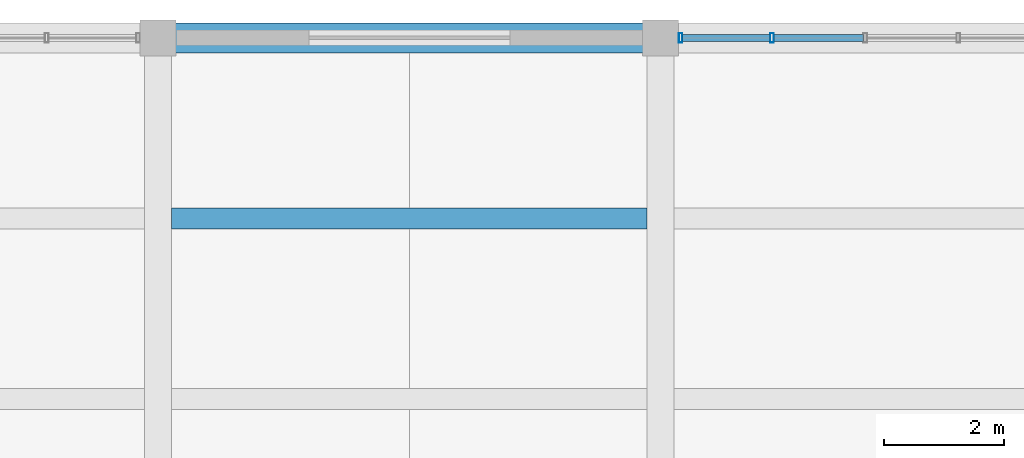
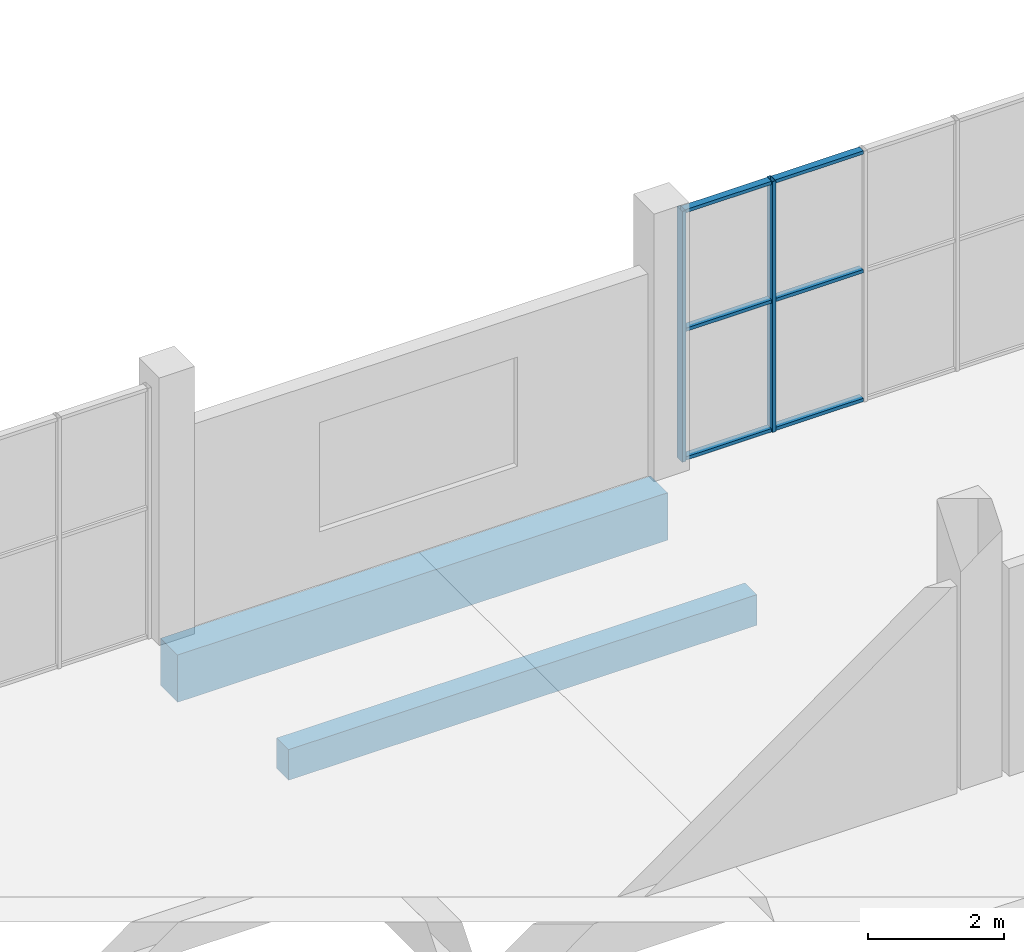
# One storey, part 37 of 80: 8 members, 2 beams, 1 element without a shape of its own.
"""IFC4 building model written with IfcOpenShell, lengths in metres."""

from ifc_helpers import new_model, si_unit, direction, frame, origin, origin_2d, place, context, subcontext, project, spatial, rectangle, hollow_rectangle, extrude, material, material_profile, profile_set, type_object, element, aggregate, save


model = new_model("IFC4")

# Units and contexts
model_context = context("Model", 3, precision=1e-05, world=origin(), true_north=direction((0.0, 1.0)))
body_context = subcontext(model_context, "Body", "Model", "MODEL_VIEW")
ifc_project = project(units=[si_unit("LENGTHUNIT", "METRE"), si_unit("AREAUNIT", "SQUARE_METRE"), si_unit("VOLUMEUNIT", "CUBIC_METRE"), si_unit("PLANEANGLEUNIT", "RADIAN"), si_unit("MASSUNIT", "GRAM", prefix="KILO")], contexts=[model_context])

# Site, building, storey
site_placement = place(None, origin())
site = spatial("IfcSite", under=ifc_project, at=site_placement, CompositionType="ELEMENT")
building_placement = place(site_placement, origin())
building = spatial("IfcBuilding", under=site, at=building_placement, Name="Khurvash Pelagic Aquarium", CompositionType="ELEMENT")
storey_placement = place(building_placement, frame((0.0, 0.0, 10.800048828125)))
storey = spatial("IfcBuildingStorey", under=building, at=storey_placement, Name="L02", CompositionType="ELEMENT", Elevation=10.800048828125)

# Curtain wall, members
ifc_material_1 = material(Name="Anodised aluminium and low-E laminated glass", Category="aluminium")
curtain_wall_type = type_object("IfcCurtainWallType", Name="CW-06", PredefinedType="USERDEFINED", material=ifc_material_1)
curtain_wall_placement = place(storey_placement, origin())
curtain_wall = element("IfcCurtainWall", 1, at=curtain_wall_placement, inside=storey, type_object=curtain_wall_type, Name="L02 Facade Unitised Curtain Wall CW-06 0166", ObjectType="UNITISED CURTAIN WALL", PredefinedType="USERDEFINED")
ifc_material_2 = material(Name="Extruded aluminium AW-6063-T6", Category="aluminium")
ifc_material_profile_1 = material_profile(ifc_material_2, hollow_rectangle(XDim=0.06005859375, YDim=0.159912109375, WallThickness=0.00390625, at=origin_2d()), Name="CWM60X160X4")
ifc_profile_set_1 = profile_set([ifc_material_profile_1], Name="Extruded aluminium AW-6063-T6")
member_type_1 = type_object("IfcMemberType", Name="CM-02", PredefinedType="MULLION", material=ifc_profile_set_1)
member_1_placement = place(storey_placement, frame((94.262939453125, 102.14990234375, 0.0), z_axis=(0.0, 0.0, 1.0), x_axis=(-1.0, 0.0, 0.0)))
member_1 = element("IfcMember", 2, at=member_1_placement, type_object=member_type_1, Name="CW-06 mullion 5", PredefinedType="MULLION", context=body_context, shape_type="SweptSolid", body=[
    extrude(hollow_rectangle(XDim=0.06005859375, YDim=0.159912109375, WallThickness=0.00390625, at=origin_2d()), origin(), (0.0, 0.0, 1.0), 4.5),
])
member_2_placement = place(storey_placement, frame((92.735107421875, 102.14990234375, 0.0), z_axis=(0.0, 0.0, 1.0), x_axis=(-1.0, 0.0, 0.0)))
member_2 = element("IfcMember", 3, at=member_2_placement, type_object=member_type_1, Name="CW-06 mullion 6", PredefinedType="MULLION", context=body_context, shape_type="SweptSolid", body=[
    extrude(hollow_rectangle(XDim=0.06005859375, YDim=0.159912109375, WallThickness=0.00390625, at=origin_2d()), origin(), (0.0, 0.0, 1.0), 4.5),
])
ifc_material_profile_2 = material_profile(ifc_material_2, hollow_rectangle(XDim=0.1201171875, YDim=0.06005859375, WallThickness=0.00390625, at=origin_2d()), Name="CWT120X60X4")
ifc_profile_set_2 = profile_set([ifc_material_profile_2], Name="Extruded aluminium AW-6063-T6")
member_type_2 = type_object("IfcMemberType", Name="CT-02", PredefinedType="USERDEFINED", material=ifc_profile_set_2)
member_3_placement = place(storey_placement, frame((95.791015625, 102.14990234375, 0.030029296875), z_axis=(-1.0, 0.0, 0.0), x_axis=(0.0, -1.0, 0.0)))
member_3 = element("IfcMember", 4, at=member_3_placement, type_object=member_type_2, Name="CW-06 transom 4.1", ObjectType="TRANSOM", PredefinedType="USERDEFINED", context=body_context, shape_type="SweptSolid", body=[
    extrude(hollow_rectangle(XDim=0.1201171875, YDim=0.06005859375, WallThickness=0.00390625, at=origin_2d()), origin(), (0.0, 0.0, 1.0), 1.498046875),
])
member_4_placement = place(storey_placement, frame((95.791015625, 102.14990234375, 2.33984375), z_axis=(-1.0, 0.0, 0.0), x_axis=(0.0, -1.0, 0.0)))
member_4 = element("IfcMember", 5, at=member_4_placement, type_object=member_type_2, Name="CW-06 transom 4.2", ObjectType="TRANSOM", PredefinedType="USERDEFINED", context=body_context, shape_type="SweptSolid", body=[
    extrude(hollow_rectangle(XDim=0.1201171875, YDim=0.06005859375, WallThickness=0.00390625, at=origin_2d()), origin(), (0.0, 0.0, 1.0), 1.498046875),
])
member_5_placement = place(storey_placement, frame((95.791015625, 102.14990234375, 4.469970703125), z_axis=(-1.0, 0.0, 0.0), x_axis=(0.0, -1.0, 0.0)))
member_5 = element("IfcMember", 6, at=member_5_placement, type_object=member_type_2, Name="CW-06 transom 4.3", ObjectType="TRANSOM", PredefinedType="USERDEFINED", context=body_context, shape_type="SweptSolid", body=[
    extrude(hollow_rectangle(XDim=0.1201171875, YDim=0.06005859375, WallThickness=0.00390625, at=origin_2d()), origin(), (0.0, 0.0, 1.0), 1.498046875),
])
member_6_placement = place(storey_placement, frame((94.23291015625, 102.14990234375, 0.030029296875), z_axis=(-1.0, 0.0, 0.0), x_axis=(0.0, -1.0, 0.0)))
member_6 = element("IfcMember", 7, at=member_6_placement, type_object=member_type_2, Name="CW-06 transom 5.1", ObjectType="TRANSOM", PredefinedType="USERDEFINED", context=body_context, shape_type="SweptSolid", body=[
    extrude(hollow_rectangle(XDim=0.1201171875, YDim=0.06005859375, WallThickness=0.00390625, at=origin_2d()), origin(), (0.0, 0.0, 1.0), 1.468017578125),
])
member_7_placement = place(storey_placement, frame((94.23291015625, 102.14990234375, 2.33984375), z_axis=(-1.0, 0.0, 0.0), x_axis=(0.0, -1.0, 0.0)))
member_7 = element("IfcMember", 8, at=member_7_placement, type_object=member_type_2, Name="CW-06 transom 5.2", ObjectType="TRANSOM", PredefinedType="USERDEFINED", context=body_context, shape_type="SweptSolid", body=[
    extrude(hollow_rectangle(XDim=0.1201171875, YDim=0.06005859375, WallThickness=0.00390625, at=origin_2d()), origin(), (0.0, 0.0, 1.0), 1.468017578125),
])
member_8_placement = place(storey_placement, frame((94.23291015625, 102.14990234375, 4.469970703125), z_axis=(-1.0, 0.0, 0.0), x_axis=(0.0, -1.0, 0.0)))
member_8 = element("IfcMember", 9, at=member_8_placement, type_object=member_type_2, Name="CW-06 transom 5.3", ObjectType="TRANSOM", PredefinedType="USERDEFINED", context=body_context, shape_type="SweptSolid", body=[
    extrude(hollow_rectangle(XDim=0.1201171875, YDim=0.06005859375, WallThickness=0.00390625, at=origin_2d()), origin(), (0.0, 0.0, 1.0), 1.468017578125),
])
aggregate(curtain_wall, [member_1, member_2, member_3, member_4, member_5, member_6, member_7, member_8])

# Beams
ifc_material_3 = material(Name="Concrete C35/45", Category="concrete")
ifc_material_profile_3 = material_profile(ifc_material_3, rectangle(XDim=0.35009765625, YDim=0.550048828125, at=origin_2d()), Name="RC350X550")
ifc_profile_set_3 = profile_set([ifc_material_profile_3], Name="Concrete C35/45")
beam_type_1 = type_object("IfcBeamType", Name="JS-01", PredefinedType="JOIST", material=ifc_profile_set_3)
beam_1_placement = place(storey_placement, frame((84.22509765625, 99.133056640625, -0.574951171875), z_axis=(1.0, 0.0, 0.0), x_axis=(0.0, 1.0, 0.0)))
element("IfcBeam", 10, at=beam_1_placement, inside=storey, type_object=beam_type_1, Name="L02 Floor Joist JS-01 00804", PredefinedType="JOIST", context=body_context, shape_type="SweptSolid", body=[
    extrude(rectangle(XDim=0.35009765625, YDim=0.550048828125, at=origin_2d()), origin(), (0.0, 0.0, 1.0), 7.949951171875),
])
ifc_material_4 = material(Name="Concrete C40/50", Category="concrete")
ifc_material_profile_4 = material_profile(ifc_material_4, rectangle(XDim=0.5, YDim=0.85009765625, at=origin_2d()), Name="RC500X850")
ifc_profile_set_4 = profile_set([ifc_material_profile_4], Name="Concrete C40/50")
beam_type_2 = type_object("IfcBeamType", Name="SEB-03", PredefinedType="SPANDREL", material=ifc_profile_set_4)
beam_2_placement = place(storey_placement, frame((84.0400390625, 102.14990234375, -0.7451171875), z_axis=(1.0, 0.0, 0.0), x_axis=(0.0, 1.0, 0.0)))
element("IfcBeam", 11, at=beam_2_placement, inside=storey, type_object=beam_type_2, Name="L02 Primary Girder SEB-03 00645", PredefinedType="SPANDREL", context=body_context, shape_type="SweptSolid", body=[
    extrude(rectangle(XDim=0.5, YDim=0.85009765625, at=origin_2d()), origin(), (0.0, 0.0, 1.0), 8.320068359375),
])

save(model, "model.ifc")
